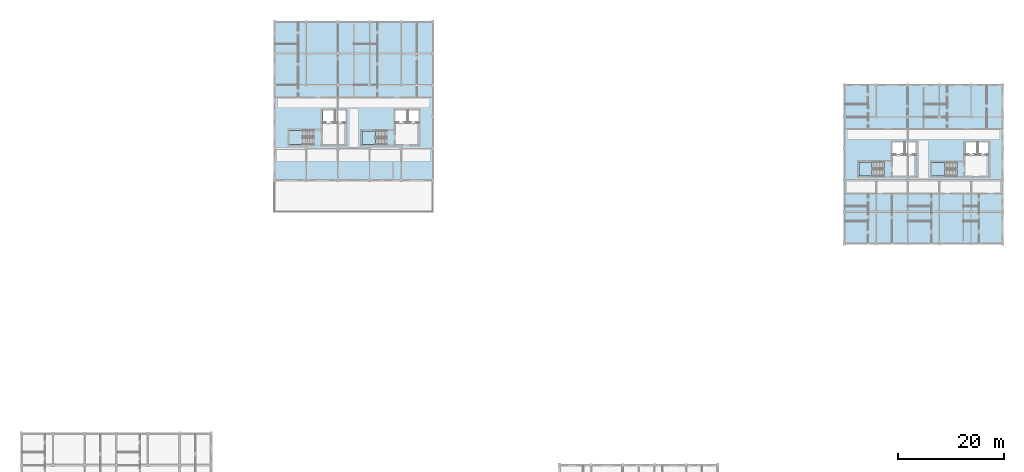
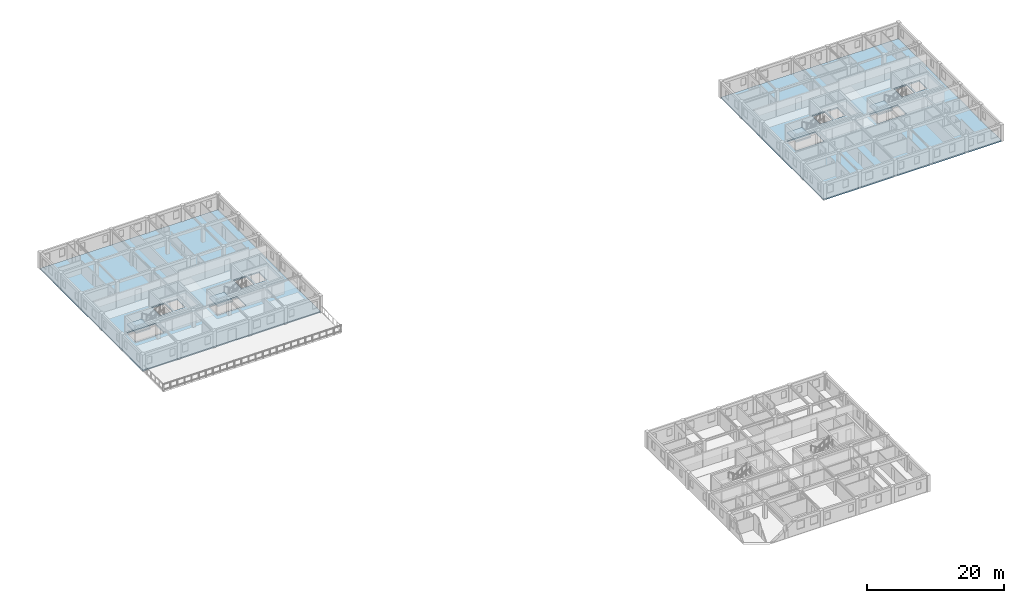
# One storey, part 5 of 28: 6 slabs, 4 elements without a shape of their own.
"""IFC4 building model written with IfcOpenShell, lengths in metres."""

from ifc_helpers import new_model, si_unit, direction, frame, origin, place, context, subcontext, project, spatial, polyline, outline, extrude, material, layer, layer_set, type_object, element, aggregate, save


model = new_model("IFC4")

# Units and contexts
model_context = context("Model", 3, precision=1e-05, world=origin(), true_north=direction((0.0, 1.0)))
body_context = subcontext(model_context, "Body", "Model", "MODEL_VIEW")
ifc_project = project(units=[si_unit("LENGTHUNIT", "METRE"), si_unit("AREAUNIT", "SQUARE_METRE"), si_unit("VOLUMEUNIT", "CUBIC_METRE"), si_unit("PLANEANGLEUNIT", "RADIAN"), si_unit("MASSUNIT", "GRAM", prefix="KILO"), si_unit("POWERUNIT", "WATT"), si_unit("THERMODYNAMICTEMPERATUREUNIT", "KELVIN")], contexts=[model_context])

# Site, building, storey
site_placement = place(None, origin())
site = spatial("IfcSite", under=ifc_project, at=site_placement, CompositionType="ELEMENT")
building_placement = place(site_placement, origin())
building = spatial("IfcBuilding", under=site, at=building_placement, Name="Ruvembo Vaulted Housing Court", CompositionType="ELEMENT")
storey_placement = place(building_placement, frame((0.0, 0.0, 23.699951171875)))
storey = spatial("IfcBuildingStorey", under=building, at=storey_placement, Name="L07", CompositionType="ELEMENT", Elevation=23.699951171875)

# Slabs
ifc_material_1 = material(Name="Concrete C30/37", Category="concrete")
ifc_layer_1 = layer(ifc_material_1, 0.22998046875, Name="Concrete C30/37")
ifc_layer_set_1 = layer_set([ifc_layer_1], Name="Concrete C30/37")
slab_type_1 = type_object("IfcSlabType", Name="SL-FLR-230", PredefinedType="FLOOR", material=ifc_layer_set_1)
slab_1_placement = place(storey_placement, frame((0.0, 0.0, -0.22998046875)))
element("IfcSlab", 1, at=slab_1_placement, inside=storey, type_object=slab_type_1, Name="Block B L07 Structural Floor Slab", PredefinedType="FLOOR", context=body_context, shape_type="SweptSolid", body=[
    extrude(outline(polyline([(78.0, 84.0), (78.0, 114.0), (48.0, 114.0), (48.0, 84.0), (78.0, 84.0)]), holes=[polyline([(55.5, 93.449951171875), (50.75, 93.449951171875), (50.75, 90.75), (55.5, 90.75), (55.5, 93.449951171875)]), polyline([(57.14990234375, 94.85009765625), (59.35009765625, 94.85009765625), (59.35009765625, 97.25), (57.14990234375, 97.25), (57.14990234375, 94.85009765625)]), polyline([(59.60009765625, 94.85009765625), (61.449951171875, 94.85009765625), (61.449951171875, 97.25), (59.60009765625, 97.25), (59.60009765625, 94.85009765625)]), polyline([(69.35009765625, 93.35009765625), (64.550048828125, 93.35009765625), (64.550048828125, 90.75), (69.35009765625, 90.75), (69.35009765625, 93.35009765625)]), polyline([(70.949951171875, 94.85009765625), (73.14990234375, 94.85009765625), (73.14990234375, 97.25), (70.949951171875, 97.25), (70.949951171875, 94.85009765625)]), polyline([(73.39990234375, 94.85009765625), (75.25, 94.85009765625), (75.25, 97.25), (73.39990234375, 97.25), (73.39990234375, 94.85009765625)])]), origin(), (0.0, 0.0, 1.0), 0.22998046875),
])
slab_2_placement = place(storey_placement, frame((0.0, 0.0, -0.22998046875)))
element("IfcSlab", 2, at=slab_2_placement, inside=storey, type_object=slab_type_1, Name="Block D L07 Structural Floor Slab", PredefinedType="FLOOR", context=body_context, shape_type="SweptSolid", body=[
    extrude(outline(polyline([(186.0, 72.0), (186.0, 102.0), (156.0, 102.0), (156.0, 72.0), (186.0, 72.0)]), holes=[polyline([(163.5, 87.449951171875), (158.75, 87.449951171875), (158.75, 84.75), (163.5, 84.75), (163.5, 87.449951171875)]), polyline([(165.14990234375, 88.85009765625), (167.35009765625, 88.85009765625), (167.35009765625, 91.25), (165.14990234375, 91.25), (165.14990234375, 88.85009765625)]), polyline([(167.60009765625, 88.85009765625), (169.449951171875, 88.85009765625), (169.449951171875, 91.25), (167.60009765625, 91.25), (167.60009765625, 88.85009765625)]), polyline([(177.35009765625, 87.35009765625), (172.550048828125, 87.35009765625), (172.550048828125, 84.75), (177.35009765625, 84.75), (177.35009765625, 87.35009765625)]), polyline([(178.949951171875, 88.85009765625), (181.14990234375, 88.85009765625), (181.14990234375, 91.25), (178.949951171875, 91.25), (178.949951171875, 88.85009765625)]), polyline([(181.39990234375, 88.85009765625), (183.25, 88.85009765625), (183.25, 91.25), (181.39990234375, 91.25), (181.39990234375, 88.85009765625)])]), origin(), (0.0, 0.0, 1.0), 0.22998046875),
])

# Stair, slab
ifc_material_2 = material(Name="Concrete C35/45", Category="concrete")
stair_type_1 = type_object("IfcStairType", Name="STR-CORE-1250", PredefinedType="HALF_TURN_STAIR", material=ifc_material_2)
stair_1_placement = place(storey_placement, origin())
stair_1 = element("IfcStair", 3, at=stair_1_placement, inside=storey, type_object=stair_type_1, Name="L07 Protected Exit Stair ST-B1", PredefinedType="HALF_TURN_STAIR")
ifc_layer_2 = layer(ifc_material_1, 0.201904296875, Name="Concrete C30/37")
ifc_layer_set_2 = layer_set([ifc_layer_2], Name="Concrete C30/37")
slab_type_2 = type_object("IfcSlabType", Name="SL-LAND-202", PredefinedType="LANDING", material=ifc_layer_set_2)
slab_3_placement = place(storey_placement, frame((0.0, 0.0, 1.400146484375)))
slab_3 = element("IfcSlab", 4, at=slab_3_placement, type_object=slab_type_2, Name="ST-B1 landing 1", PredefinedType="LANDING", context=body_context, shape_type="SweptSolid", body=[
    extrude(outline(polyline([(53.260009765625, 93.449951171875), (50.75, 93.449951171875), (50.75, 90.75), (53.260009765625, 90.75), (53.260009765625, 93.449951171875)])), origin(), (0.0, 0.0, 1.0), 0.199951171875),
])
aggregate(stair_1, [slab_3])

stair_type_2 = type_object("IfcStairType", Name="STR-CORE-1200", PredefinedType="HALF_TURN_STAIR", material=ifc_material_2)
stair_2_placement = place(storey_placement, origin())
stair_2 = element("IfcStair", 5, at=stair_2_placement, inside=storey, type_object=stair_type_2, Name="L07 Protected Exit Stair ST-B2", PredefinedType="HALF_TURN_STAIR")
slab_4_placement = place(storey_placement, frame((0.0, 0.0, 1.400146484375)))
slab_4 = element("IfcSlab", 6, at=slab_4_placement, type_object=slab_type_2, Name="ST-B2 landing 1", PredefinedType="LANDING", context=body_context, shape_type="SweptSolid", body=[
    extrude(outline(polyline([(67.110107421875, 93.35009765625), (64.550048828125, 93.35009765625), (64.550048828125, 90.75), (67.110107421875, 90.75), (67.110107421875, 93.35009765625)])), origin(), (0.0, 0.0, 1.0), 0.199951171875),
])
aggregate(stair_2, [slab_4])

stair_3_placement = place(storey_placement, origin())
stair_3 = element("IfcStair", 7, at=stair_3_placement, inside=storey, type_object=stair_type_1, Name="L07 Protected Exit Stair ST-D1", PredefinedType="HALF_TURN_STAIR")
slab_5_placement = place(storey_placement, frame((0.0, 0.0, 1.400146484375)))
slab_5 = element("IfcSlab", 8, at=slab_5_placement, type_object=slab_type_2, Name="ST-D1 landing 1", PredefinedType="LANDING", context=body_context, shape_type="SweptSolid", body=[
    extrude(outline(polyline([(161.260009765625, 87.449951171875), (158.75, 87.449951171875), (158.75, 84.75), (161.260009765625, 84.75), (161.260009765625, 87.449951171875)])), origin(), (0.0, 0.0, 1.0), 0.199951171875),
])
aggregate(stair_3, [slab_5])

stair_4_placement = place(storey_placement, origin())
stair_4 = element("IfcStair", 9, at=stair_4_placement, inside=storey, type_object=stair_type_2, Name="L07 Protected Exit Stair ST-D2", PredefinedType="HALF_TURN_STAIR")
slab_6_placement = place(storey_placement, frame((0.0, 0.0, 1.400146484375)))
slab_6 = element("IfcSlab", 10, at=slab_6_placement, type_object=slab_type_2, Name="ST-D2 landing 1", PredefinedType="LANDING", context=body_context, shape_type="SweptSolid", body=[
    extrude(outline(polyline([(175.110107421875, 87.35009765625), (172.550048828125, 87.35009765625), (172.550048828125, 84.75), (175.110107421875, 84.75), (175.110107421875, 87.35009765625)])), origin(), (0.0, 0.0, 1.0), 0.199951171875),
])
aggregate(stair_4, [slab_6])

save(model, "model.ifc")
